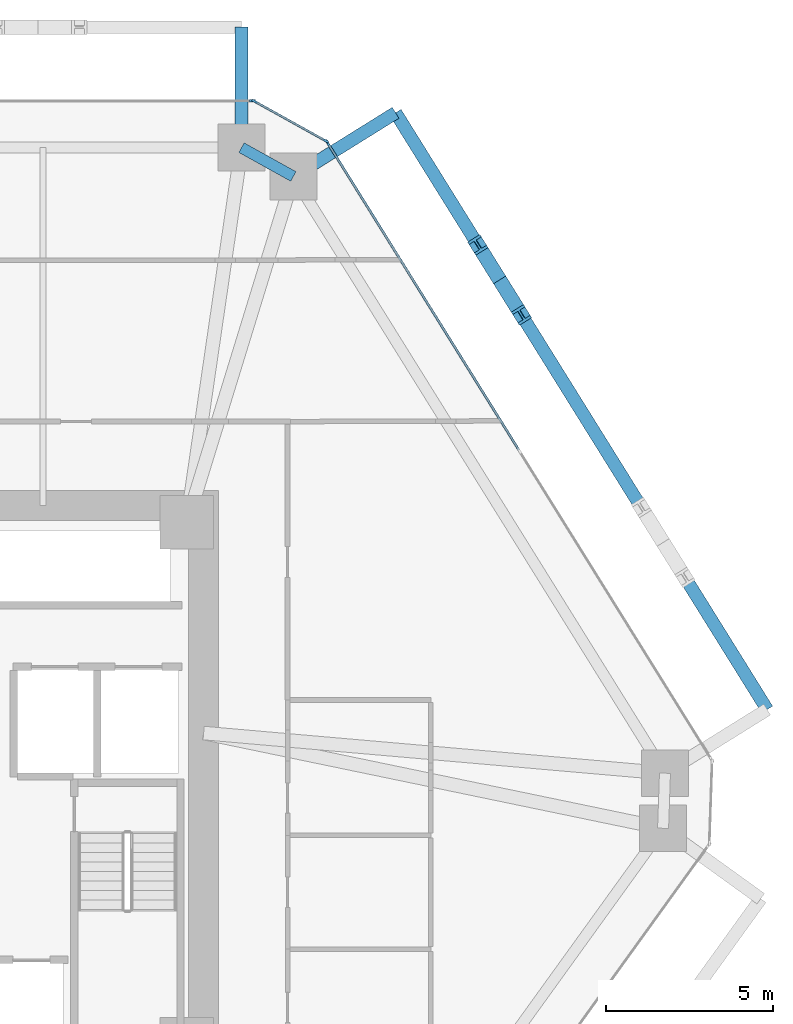
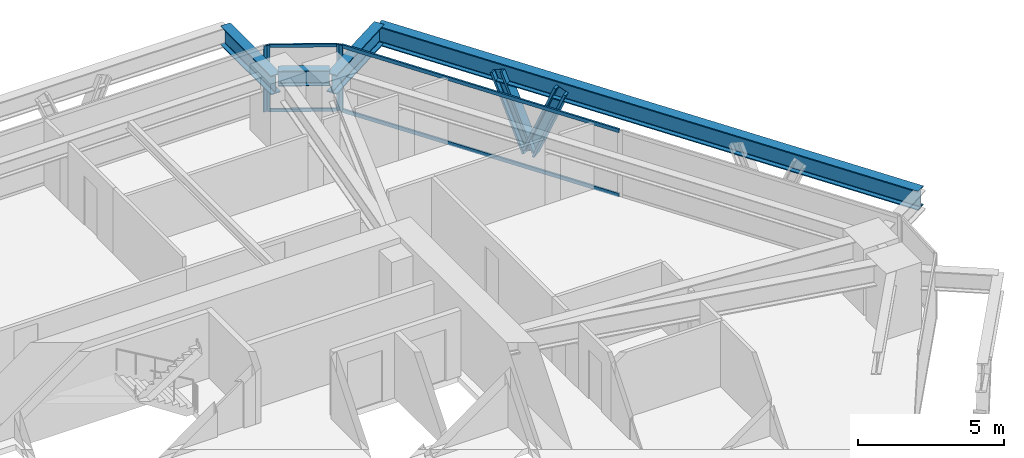
# One storey, part 9 of 15: 10 members, 4 beams, 3 elements without a shape of their own.
"""IFC4 building model written with IfcOpenShell, lengths in metres."""

from ifc_helpers import new_model, si_unit, direction, frame, origin, origin_2d, place, context, subcontext, project, spatial, rectangle, i_section, extrude, source, transform, mapped, material, layer, layer_set, material_profile, profile_set, type_object, type_shapes, element, aggregate, save


model = new_model("IFC4")

# Units and contexts
model_context = context("Model", 3, precision=1e-05, world=origin(), true_north=direction((0.0, 1.0)))
body_context = subcontext(model_context, "Body", "Model", "MODEL_VIEW")
ifc_project = project(units=[si_unit("LENGTHUNIT", "METRE"), si_unit("AREAUNIT", "SQUARE_METRE"), si_unit("VOLUMEUNIT", "CUBIC_METRE"), si_unit("PLANEANGLEUNIT", "RADIAN"), si_unit("MASSUNIT", "GRAM", prefix="KILO")], contexts=[model_context])

# Site, building, storey
site_placement = place(None, origin())
site = spatial("IfcSite", under=ifc_project, at=site_placement, CompositionType="ELEMENT")
building_placement = place(site_placement, origin())
building = spatial("IfcBuilding", under=site, at=building_placement, Name="Durnholm Broadcast Tower", CompositionType="ELEMENT")
storey_placement = place(building_placement, frame((0.0, 0.0, 81.300048828125)))
storey = spatial("IfcBuildingStorey", under=building, at=storey_placement, Name="L21", CompositionType="ELEMENT", Elevation=81.300048828125)

# Beams
ifc_material_1 = material(Name="Steel ASTM A992 Grade 50", Category="steel")
ifc_material_profile_1 = material_profile(ifc_material_1, i_section(OverallWidth=0.3291015625, OverallDepth=0.635009765625, WebThickness=0.017822265625, FlangeThickness=0.031005859375, FilletRadius=0.02783203125, at=origin_2d()), Name="W24X162")
ifc_profile_set_1 = profile_set([ifc_material_profile_1], Name="Steel ASTM A992 Grade 50")
beam_type_1 = type_object("IfcBeamType", Name="STL-SP-W24X162", PredefinedType="SPANDREL", material=ifc_profile_set_1)
shared_shape_1 = source(origin(), body_context, "Body", "SweptSolid", [
    extrude(i_section(OverallWidth=0.3291015625, OverallDepth=0.635009765625, WebThickness=0.017822265625, FlangeThickness=0.031005859375, FilletRadius=0.02783203125, at=origin_2d()), origin(), (0.0, 0.0, 1.0), 1.774658203125),
])
type_shapes(beam_type_1, [shared_shape_1])
beam_1_placement = place(storey_placement, frame((11.43115234375, 19.0, 2.427490234375), z_axis=(0.874248107979, -0.485479397806, 0.0), x_axis=(0.485479397806, 0.874248107979, 0.0)))
element("IfcBeam", 1, at=beam_1_placement, inside=storey, type_object=beam_type_1, Name="L21 perimeter spandrel girder 06", PredefinedType="SPANDREL", context=body_context, shape_type="MappedRepresentation", body=[
    mapped(shared_shape_1, transform((0.0, 0.0, 0.0), x_axis=(1.0, 0.0, 0.0), y_axis=(0.0, 1.0, 0.0), z_axis=(0.0, 0.0, 1.0), scale=1.0)),
])
ifc_material_profile_2 = material_profile(ifc_material_1, i_section(OverallWidth=0.385009765625, OverallDepth=0.802978515625, WebThickness=0.023681640625, FlangeThickness=0.0419921875, FilletRadius=0.032958984375, at=origin_2d()), Name="W30X261")
ifc_profile_set_2 = profile_set([ifc_material_profile_2], Name="Steel ASTM A992 Grade 50")
beam_type_2 = type_object("IfcBeamType", Name="BM-EXO-TIE", PredefinedType="USERDEFINED", material=ifc_profile_set_2)
shared_shape_2 = source(origin(), body_context, "Body", "SweptSolid", [
    extrude(i_section(OverallWidth=0.385009765625, OverallDepth=0.802978515625, WebThickness=0.023681640625, FlangeThickness=0.0419921875, FilletRadius=0.032958984375, at=origin_2d()), origin(), (0.0, 0.0, 1.0), 3.4560546875),
])
for number, where, z_axis, x_axis, name in (
    (2, (13.10498046875, 18.214599609375, 2.008544921875), (0.848854443891, 0.528626648105, 0.0), (-0.528626648105, 0.848854443891, 0.0), "L21 exoskeleton stand-off tie bracket F3.2"),
    (3, (11.43115234375, 19.14404296875, 2.008544921875), (0.0, 1.0, 0.0), (-1.0, 0.0, 0.0), "L21 exoskeleton stand-off tie bracket F4.1"),
):
    element("IfcBeam", number, at=place(storey_placement, frame(where, z_axis=z_axis, x_axis=x_axis)), inside=storey, type_object=beam_type_2, Name=name, ObjectType="GIRDER", PredefinedType="USERDEFINED", context=body_context, shape_type="MappedRepresentation", body=[
        mapped(shared_shape_2, transform((0.0, 0.0, 0.0), x_axis=(1.0, 0.0, 0.0), y_axis=(0.0, 1.0, 0.0), z_axis=(0.0, 0.0, 1.0), scale=1.0)),
    ])
shared_shape_3 = source(origin(), body_context, "Body", "SweptSolid", [
    extrude(i_section(OverallWidth=0.385009765625, OverallDepth=0.802978515625, WebThickness=0.023681640625, FlangeThickness=0.0419921875, FilletRadius=0.032958984375, at=origin_2d()), origin(), (0.0, 0.0, 1.0), 21.0146484375),
])
type_shapes(beam_type_2, [shared_shape_2, shared_shape_3])
beam_2_placement = place(storey_placement, frame((27.146728515625, 2.20263671875, 2.008544921875), z_axis=(-0.528590518575, 0.848876942597, 0.0), x_axis=(-0.848876942597, -0.528590518575, 0.0)))
element("IfcBeam", 4, at=beam_2_placement, inside=storey, type_object=beam_type_2, Name="L21 exoskeleton collector spandrel F3", PredefinedType="SPANDREL", context=body_context, shape_type="MappedRepresentation", body=[
    mapped(shared_shape_3, transform((0.0, 0.0, 0.0), x_axis=(1.0, 0.0, 0.0), y_axis=(0.0, 1.0, 0.0), z_axis=(0.0, 0.0, 1.0), scale=1.0)),
])

# Members
ifc_material_2 = material(Name="Steel ASTM A913 Grade 65", Category="steel")
ifc_material_profile_3 = material_profile(ifc_material_2, i_section(OverallWidth=0.43212890625, OverallDepth=0.497802734375, WebThickness=0.0556640625, FlangeThickness=0.0888671875, FilletRadius=0.030517578125, at=origin_2d()), Name="W14X500")
ifc_profile_set_3 = profile_set([ifc_material_profile_3], Name="Steel ASTM A913 Grade 65")
member_type_1 = type_object("IfcMemberType", Name="STL-DG-W14X500", PredefinedType="BRACE", material=ifc_profile_set_3)
shared_shape_4 = source(origin(), body_context, "Body", "SweptSolid", [
    extrude(i_section(OverallWidth=0.43212890625, OverallDepth=0.497802734375, WebThickness=0.0556640625, FlangeThickness=0.0888671875, FilletRadius=0.030517578125, at=origin_2d()), origin(), (0.0, 0.0, 1.0), 3.243896484375),
])
type_shapes(member_type_1, [shared_shape_4])
for number, where, z_axis, x_axis, name in (
    (5, (19.14892578125, 15.04638671875, -0.991455078125), (0.201029867597, -0.322882116058, 0.9248427604), (0.848908635391, 0.528539618911, 0.0), "L21 stand-off diagrid brace F3.D2.1"),
    (6, (19.14892578125, 15.04638671875, -0.991455078125), (-0.201029867597, 0.322882116058, 0.9248427604), (-0.848908635391, -0.528539618911, 0.0), "L21 stand-off diagrid brace F3.D2.2"),
):
    element("IfcMember", number, at=place(storey_placement, frame(where, z_axis=z_axis, x_axis=x_axis)), inside=storey, type_object=member_type_1, Name=name, PredefinedType="BRACE", context=body_context, shape_type="MappedRepresentation", body=[
        mapped(shared_shape_4, transform((0.0, 0.0, 0.0), x_axis=(1.0, 0.0, 0.0), y_axis=(0.0, 1.0, 0.0), z_axis=(0.0, 0.0, 1.0), scale=1.0)),
    ])

# Curtain wall, members
ifc_material_3 = material(Name="Aluminium and Solar Control IGU", Category="aluminium")
ifc_layer_1 = layer(ifc_material_3, 0.1650390625)
ifc_layer_set_1 = layer_set([ifc_layer_1], Name="Aluminium and Solar Control IGU")
curtain_wall_type_1 = type_object("IfcCurtainWallType", Name="CW-SYS-5", PredefinedType="NOTDEFINED", material=ifc_layer_set_1)
curtain_wall_1_placement = place(storey_placement, origin())
curtain_wall_1 = element("IfcCurtainWall", 7, at=curtain_wall_1_placement, inside=storey, type_object=curtain_wall_type_1, Name="L21 curtain wall CW-CORNER CW-L21-CRN-05", PredefinedType="NOTDEFINED")
ifc_material_4 = material(Name="Aluminium 6063-T6", Category="aluminium")
ifc_material_profile_4 = material_profile(ifc_material_4, rectangle(XDim=0.06494140625, YDim=0.1298828125, at=origin_2d()), Name="CWT65X130")
ifc_profile_set_4 = profile_set([ifc_material_profile_4], Name="Aluminium 6063-T6")
member_type_2 = type_object("IfcMemberType", Name="CW-SYS-5-TRN", PredefinedType="USERDEFINED", material=ifc_profile_set_4)
shared_shape_5 = source(origin(), body_context, "Body", "SweptSolid", [
    extrude(rectangle(XDim=0.06494140625, YDim=0.1298828125, at=origin_2d()), origin(), (0.0, 0.0, 1.0), 2.3701171875),
])
type_shapes(member_type_2, [shared_shape_5])
member_1_placement = place(storey_placement, frame((11.8505859375, 20.368408203125, 0.032470703125), z_axis=(0.874244723151, -0.485485493132, 0.0), x_axis=(0.485485493132, 0.874244723151, 0.0)))
member_1 = element("IfcMember", 8, at=member_1_placement, type_object=member_type_2, Name="CW-CORNER transom 1.1", ObjectType="TRANSOM", PredefinedType="USERDEFINED", context=body_context, shape_type="MappedRepresentation", body=[
    mapped(shared_shape_5, transform((0.0, 0.0, 0.0), x_axis=(1.0, 0.0, 0.0), y_axis=(0.0, 1.0, 0.0), z_axis=(0.0, 0.0, 1.0), scale=1.0)),
])
member_2_placement = place(storey_placement, frame((11.8505859375, 20.368408203125, 2.7275390625), z_axis=(0.874244723151, -0.485485493132, 0.0), x_axis=(0.485485493132, 0.874244723151, 0.0)))
member_2 = element("IfcMember", 9, at=member_2_placement, type_object=member_type_2, Name="CW-CORNER transom 1.2", ObjectType="TRANSOM", PredefinedType="USERDEFINED", context=body_context, shape_type="MappedRepresentation", body=[
    mapped(shared_shape_5, transform((0.0, 0.0, 0.0), x_axis=(1.0, 0.0, 0.0), y_axis=(0.0, 1.0, 0.0), z_axis=(0.0, 0.0, 1.0), scale=1.0)),
])

ifc_layer_2 = layer(ifc_material_3, 0.18994140625)
ifc_layer_set_2 = layer_set([ifc_layer_2], Name="Aluminium and Solar Control IGU")
curtain_wall_type_2 = type_object("IfcCurtainWallType", Name="CW-SYS-3", PredefinedType="NOTDEFINED", material=ifc_layer_set_2)
curtain_wall_2_placement = place(storey_placement, origin())
curtain_wall_2 = element("IfcCurtainWall", 10, at=curtain_wall_2_placement, inside=storey, type_object=curtain_wall_type_2, Name="L21 curtain wall CW-Z12-VIS CW-L21-F06", PredefinedType="NOTDEFINED")
ifc_material_profile_5 = material_profile(ifc_material_4, rectangle(XDim=0.070068359375, YDim=0.14990234375, at=origin_2d()), Name="CWT70X150")
ifc_profile_set_5 = profile_set([ifc_material_profile_5], Name="Aluminium 6063-T6")
member_type_3 = type_object("IfcMemberType", Name="CW-SYS-3-TRN", PredefinedType="USERDEFINED", material=ifc_profile_set_5)
shared_shape_6 = source(origin(), body_context, "Body", "SweptSolid", [
    extrude(rectangle(XDim=0.070068359375, YDim=0.14990234375, at=origin_2d()), origin(), (0.0, 0.0, 1.0), 10.796630859375),
])
type_shapes(member_type_3, [shared_shape_6])
member_3_placement = place(storey_placement, frame((14.016357421875, 19.126953125, 0.034912109375), z_axis=(0.528591657678, -0.848876233283, 0.0), x_axis=(0.848876233283, 0.528591657678, 0.0)))
member_3 = element("IfcMember", 11, at=member_3_placement, type_object=member_type_3, Name="CW-Z12-VIS transom 1.1", ObjectType="TRANSOM", PredefinedType="USERDEFINED", context=body_context, shape_type="MappedRepresentation", body=[
    mapped(shared_shape_6, transform((0.0, 0.0, 0.0), x_axis=(1.0, 0.0, 0.0), y_axis=(0.0, 1.0, 0.0), z_axis=(0.0, 0.0, 1.0), scale=1.0)),
])
member_4_placement = place(storey_placement, frame((14.016357421875, 19.126953125, 2.724853515625), z_axis=(0.528591657678, -0.848876233283, 0.0), x_axis=(0.848876233283, 0.528591657678, 0.0)))
member_4 = element("IfcMember", 12, at=member_4_placement, type_object=member_type_3, Name="CW-Z12-VIS transom 1.2", ObjectType="TRANSOM", PredefinedType="USERDEFINED", context=body_context, shape_type="MappedRepresentation", body=[
    mapped(shared_shape_6, transform((0.0, 0.0, 0.0), x_axis=(1.0, 0.0, 0.0), y_axis=(0.0, 1.0, 0.0), z_axis=(0.0, 0.0, 1.0), scale=1.0)),
])

# Member
ifc_material_profile_6 = material_profile(ifc_material_4, rectangle(XDim=0.06494140625, YDim=0.1650390625, at=origin_2d()), Name="CWM65X165")
ifc_profile_set_6 = profile_set([ifc_material_profile_6], Name="Aluminium 6063-T6")
member_type_4 = type_object("IfcMemberType", Name="CW-SYS-5-MUL", PredefinedType="MULLION", material=ifc_profile_set_6)
shared_shape_7 = source(origin(), body_context, "Body", "SweptSolid", [
    extrude(rectangle(XDim=0.06494140625, YDim=0.1650390625, at=origin_2d()), origin(), (0.0, 0.0, 1.0), 2.760009765625),
])
type_shapes(member_type_4, [shared_shape_7])
member_5_placement = place(storey_placement, frame((11.822265625, 20.38427734375, 0.0), z_axis=(0.0, 0.0, 1.0), x_axis=(0.485483299359, 0.874245941394, 0.0)))
member_5 = element("IfcMember", 13, at=member_5_placement, type_object=member_type_4, Name="CW-CORNER mullion 1", PredefinedType="MULLION", context=body_context, shape_type="MappedRepresentation", body=[
    mapped(shared_shape_7, transform((0.0, 0.0, 0.0), x_axis=(1.0, 0.0, 0.0), y_axis=(0.0, 1.0, 0.0), z_axis=(0.0, 0.0, 1.0), scale=1.0)),
])

member_6_placement = place(storey_placement, frame((13.950927734375, 19.2021484375, 0.0), z_axis=(0.0, 0.0, 1.0), x_axis=(0.485483299359, 0.874245941394, 0.0)))
member_6 = element("IfcMember", 14, at=member_6_placement, type_object=member_type_4, Name="CW-CORNER mullion 2", PredefinedType="MULLION", context=body_context, shape_type="MappedRepresentation", body=[
    mapped(shared_shape_7, transform((0.0, 0.0, 0.0), x_axis=(1.0, 0.0, 0.0), y_axis=(0.0, 1.0, 0.0), z_axis=(0.0, 0.0, 1.0), scale=1.0)),
])

aggregate(curtain_wall_1, [member_5, member_6, member_1, member_2])

# Curtain wall, member
curtain_wall_3_placement = place(storey_placement, origin())
curtain_wall_3 = element("IfcCurtainWall", 15, at=curtain_wall_3_placement, inside=storey, type_object=curtain_wall_type_2, Name="L21 curtain wall CW-Z12-VIS CW-L21-F04", PredefinedType="NOTDEFINED")
ifc_material_profile_7 = material_profile(ifc_material_4, rectangle(XDim=0.070068359375, YDim=0.18994140625, at=origin_2d()), Name="CWM70X190")
ifc_profile_set_7 = profile_set([ifc_material_profile_7], Name="Aluminium 6063-T6")
member_type_5 = type_object("IfcMemberType", Name="CW-SYS-3-MUL", PredefinedType="MULLION", material=ifc_profile_set_7)
shared_shape_8 = source(origin(), body_context, "Body", "SweptSolid", [
    extrude(rectangle(XDim=0.070068359375, YDim=0.18994140625, at=origin_2d()), origin(), (0.0, 0.0, 1.0), 2.760009765625),
])
type_shapes(member_type_5, [shared_shape_8])
member_7_placement = place(storey_placement, frame((11.7587890625, 20.39990234375, 0.0), z_axis=(0.0, 0.0, 1.0), x_axis=(0.0, 1.0, 0.0)))
member_7 = element("IfcMember", 16, at=member_7_placement, type_object=member_type_5, Name="CW-Z12-VIS mullion 3", PredefinedType="MULLION", context=body_context, shape_type="MappedRepresentation", body=[
    mapped(shared_shape_8, transform((0.0, 0.0, 0.0), x_axis=(1.0, 0.0, 0.0), y_axis=(0.0, 1.0, 0.0), z_axis=(0.0, 0.0, 1.0), scale=1.0)),
])
aggregate(curtain_wall_3, [member_7])

# Member
member_8_placement = place(storey_placement, frame((13.997802734375, 19.156494140625, 0.0), z_axis=(0.0, 0.0, 1.0), x_axis=(0.848875785503, 0.528592376777, 0.0)))
member_8 = element("IfcMember", 17, at=member_8_placement, type_object=member_type_5, Name="CW-Z12-VIS mullion 1", PredefinedType="MULLION", context=body_context, shape_type="MappedRepresentation", body=[
    mapped(shared_shape_8, transform((0.0, 0.0, 0.0), x_axis=(1.0, 0.0, 0.0), y_axis=(0.0, 1.0, 0.0), z_axis=(0.0, 0.0, 1.0), scale=1.0)),
])

aggregate(curtain_wall_2, [member_8, member_3, member_4])

save(model, "model.ifc")
